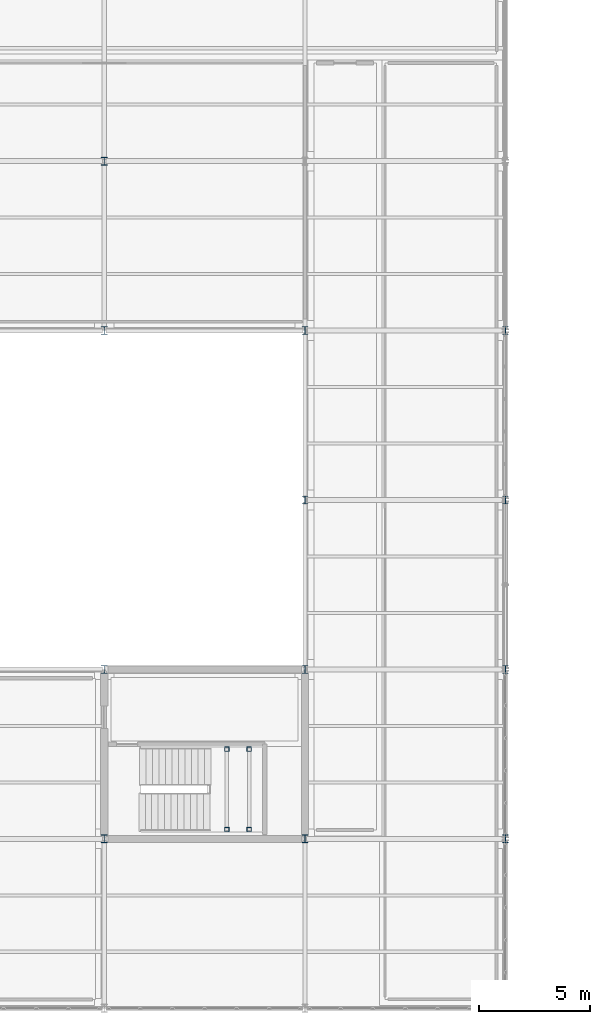
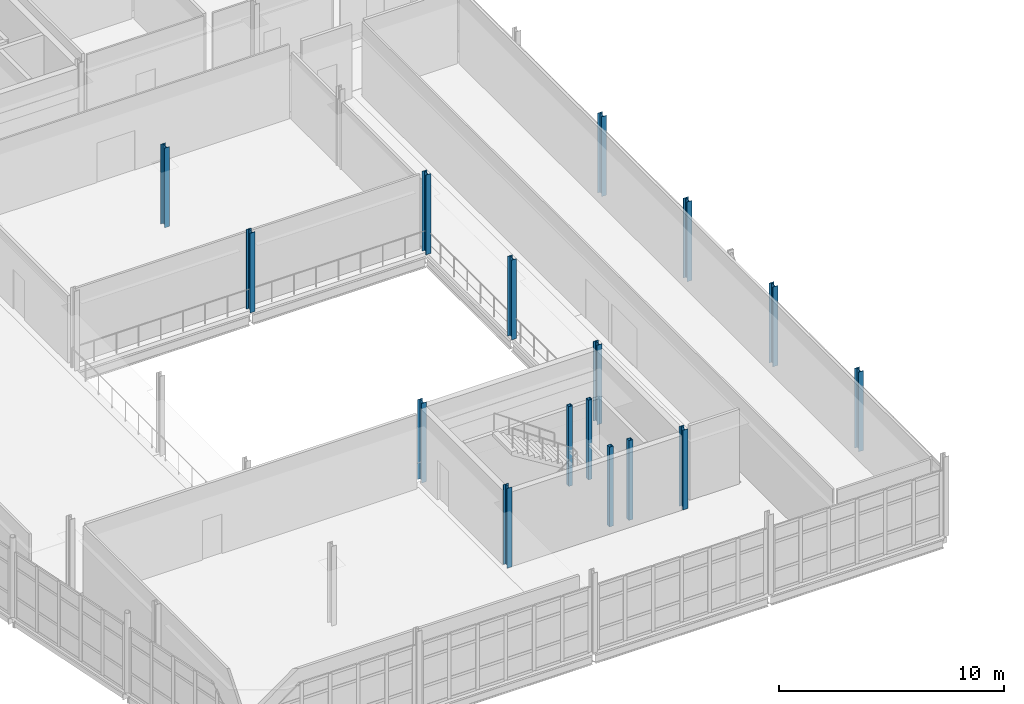
# One storey, part 26 of 174: 16 columns.
"""IFC4 building model written with IfcOpenShell, lengths in metres."""

from ifc_helpers import new_model, si_unit, direction, frame, origin, origin_2d, place, context, subcontext, project, spatial, hollow_rectangle, i_section, extrude, material, material_profile, profile_set, type_object, element, save


model = new_model("IFC4")

# Units and contexts
model_context = context("Model", 3, precision=1e-05, world=origin(), true_north=direction((0.0, 1.0)))
body_context = subcontext(model_context, "Body", "Model", "MODEL_VIEW")
ifc_project = project(units=[si_unit("LENGTHUNIT", "METRE"), si_unit("AREAUNIT", "SQUARE_METRE"), si_unit("VOLUMEUNIT", "CUBIC_METRE"), si_unit("PLANEANGLEUNIT", "RADIAN"), si_unit("MASSUNIT", "GRAM", prefix="KILO")], contexts=[model_context])

# Site, building, storey
site_placement = place(None, origin())
site = spatial("IfcSite", under=ifc_project, at=site_placement, CompositionType="ELEMENT")
building_placement = place(site_placement, origin())
building = spatial("IfcBuilding", under=site, at=building_placement, Name="Caisbarro Railhouse Central Library", CompositionType="ELEMENT")
storey_placement = place(building_placement, frame((0.0, 0.0, 5.0400390625)))
storey = spatial("IfcBuildingStorey", under=building, at=storey_placement, Name="L01", CompositionType="ELEMENT", Elevation=5.0400390625)

# Columns
ifc_material = material(Name="Steel ASTM A572 Grade 50", Category="steel")
ifc_material_profile_1 = material_profile(ifc_material, i_section(OverallWidth=0.25390625, OverallDepth=0.35302734375, WebThickness=0.009521484375, FlangeThickness=0.016357421875, FilletRadius=0.014892578125, at=origin_2d()), Name="W360X91.0")
ifc_profile_set_1 = profile_set([ifc_material_profile_1], Name="Steel ASTM A572 Grade 50")
column_type_1 = type_object("IfcColumnType", Name="COL-C05", PredefinedType="COLUMN", material=ifc_profile_set_1)
for number, where, z_axis, x_axis, name in (
    (1, (135.0, 68.39990234375, 0.0), (0.0, 0.0, 1.0), (1.0, 0.0, 0.0), "C05 column L01 (135.0,68.4)"),
    (2, (135.0, 76.0, 0.0), (0.0, 0.0, 1.0), (1.0, 0.0, 0.0), "C05 column L01 (135.0,76.0)"),
    (3, (135.0, 91.199951171875, 0.0), (0.0, 0.0, 1.0), (1.0, 0.0, 0.0), "C05 column L01 (135.0,91.2)"),
    (4, (135.0, 98.800048828125, 0.0), (0.0, 0.0, 1.0), (1.0, 0.0, 0.0), "C05 column L01 (135.0,98.8)"),
    (5, (144.0, 68.39990234375, 0.0), (0.0, 0.0, 1.0), (1.0, 0.0, 0.0), "C05 column L01 (144.0,68.4)"),
    (6, (144.0, 76.0, 0.0), (0.0, 0.0, 1.0), (1.0, 0.0, 0.0), "C05 column L01 (144.0,76.0)"),
    (7, (144.0, 83.60009765625, 0.0), (0.0, 0.0, 1.0), (1.0, 0.0, 0.0), "C05 column L01 (144.0,83.6)"),
    (8, (144.0, 91.199951171875, 0.0), (0.0, 0.0, 1.0), (1.0, 0.0, 0.0), "C05 column L01 (144.0,91.2)"),
    (9, (153.0, 68.39990234375, 0.0), (0.0, 0.0, 1.0), (1.0, 0.0, 0.0), "C05 column L01 (153.0,68.4)"),
    (10, (153.0, 76.0, 0.0), (0.0, 0.0, 1.0), (1.0, 0.0, 0.0), "C05 column L01 (153.0,76.0)"),
    (11, (153.0, 83.60009765625, 0.0), (0.0, 0.0, 1.0), (1.0, 0.0, 0.0), "C05 column L01 (153.0,83.6)"),
    (12, (153.0, 91.199951171875, 0.0), (0.0, 0.0, 1.0), (1.0, 0.0, 0.0), "C05 column L01 (153.0,91.2)"),
):
    element("IfcColumn", number, at=place(storey_placement, frame(where, z_axis=z_axis, x_axis=x_axis)), inside=storey, type_object=column_type_1, Name=name, PredefinedType="COLUMN", context=body_context, shape_type="SweptSolid", body=[
        extrude(i_section(OverallWidth=0.25390625, OverallDepth=0.35302734375, WebThickness=0.009521484375, FlangeThickness=0.016357421875, FilletRadius=0.014892578125, at=origin_2d()), origin(), (0.0, 0.0, 1.0), 4.320068359375),
    ])
ifc_material_profile_2 = material_profile(ifc_material, hollow_rectangle(XDim=0.199951171875, YDim=0.199951171875, WallThickness=0.012451171875, at=origin_2d()), Name="HSS200X200X12.5")
ifc_profile_set_2 = profile_set([ifc_material_profile_2], Name="Steel ASTM A572 Grade 50")
column_type_2 = type_object("IfcColumnType", Name="COL-C10", PredefinedType="COLUMN", material=ifc_profile_set_2)
for number, where, z_axis, x_axis, name in (
    (13, (140.5, 68.820068359375, 0.0), (0.0, 0.0, 1.0), (1.0, 0.0, 0.0), "C10 Stair Landing Post K7 L01.1"),
    (14, (140.5, 72.429931640625, 0.0), (0.0, 0.0, 1.0), (1.0, 0.0, 0.0), "C10 Stair Landing Post K7 L01.2"),
    (15, (141.5, 68.820068359375, 0.0), (0.0, 0.0, 1.0), (1.0, 0.0, 0.0), "C10 Stair Landing Post K7 L01.3"),
    (16, (141.5, 72.429931640625, 0.0), (0.0, 0.0, 1.0), (1.0, 0.0, 0.0), "C10 Stair Landing Post K7 L01.4"),
):
    element("IfcColumn", number, at=place(storey_placement, frame(where, z_axis=z_axis, x_axis=x_axis)), inside=storey, type_object=column_type_2, Name=name, PredefinedType="COLUMN", context=body_context, shape_type="SweptSolid", body=[
        extrude(hollow_rectangle(XDim=0.199951171875, YDim=0.199951171875, WallThickness=0.012451171875, at=origin_2d()), origin(), (0.0, 0.0, 1.0), 4.320068359375),
    ])

save(model, "model.ifc")
